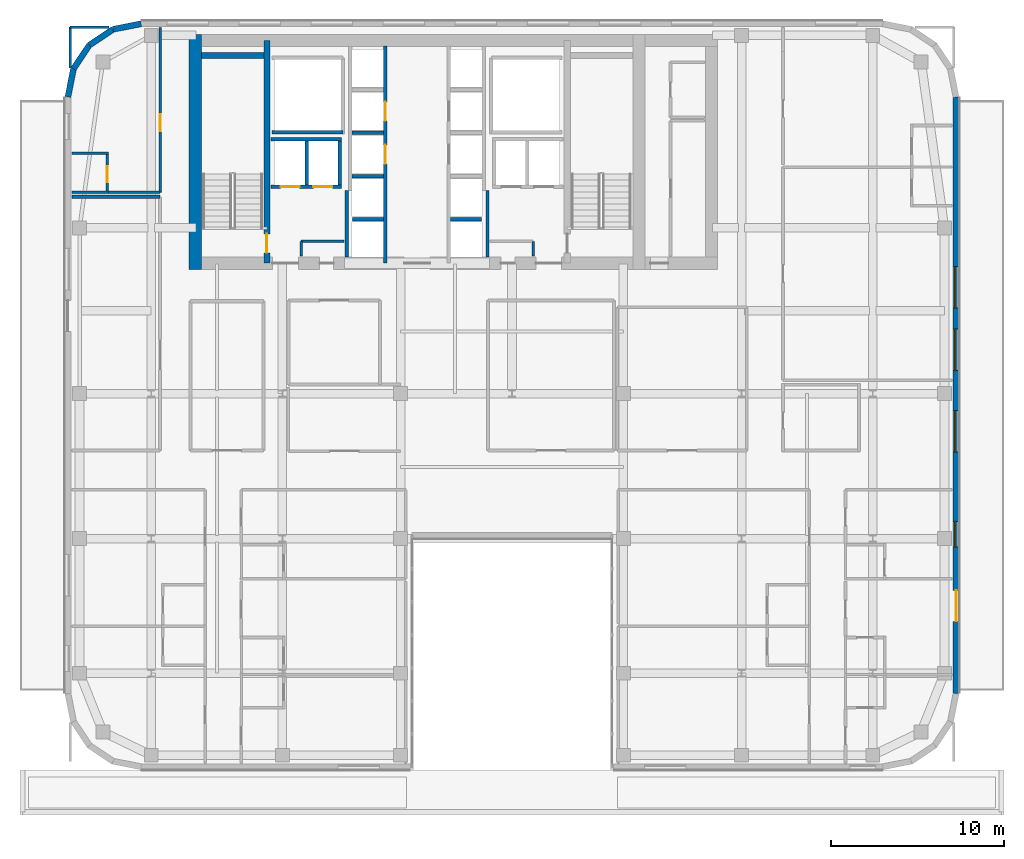
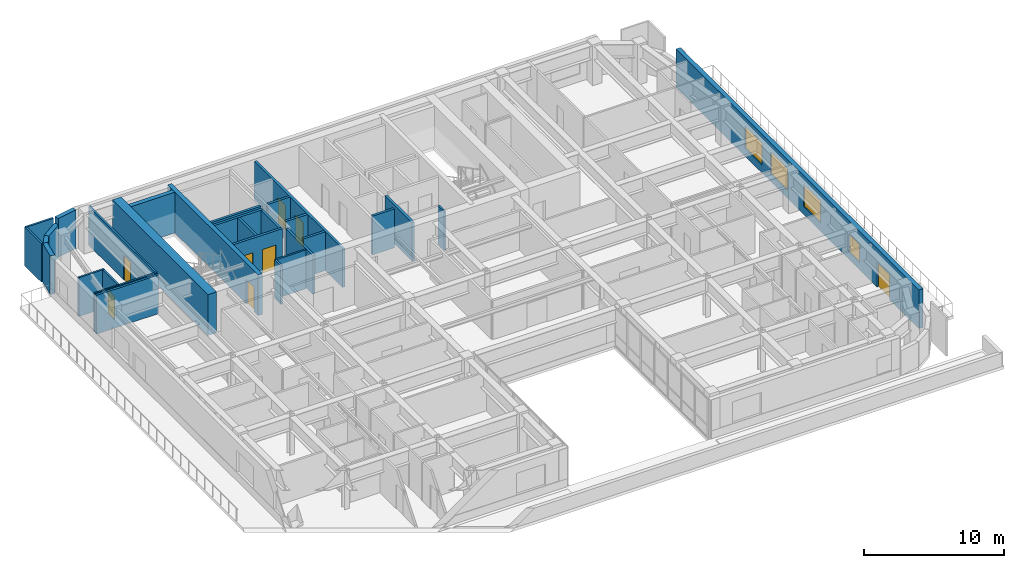
# One storey, part 13 of 20: 31 walls, 8 doors, 4 windows, 12 openings.
"""IFC4 building model written with IfcOpenShell, lengths in metres."""

from ifc_helpers import new_model, si_unit, direction, frame, frame_2d, origin, place, context, subcontext, project, spatial, rectangle, extrude, source, transform, mapped, material, layer, layer_set, type_object, type_shapes, element, fill, save


model = new_model("IFC4")

# Units and contexts
model_context = context("Model", 3, precision=1e-05, world=origin(), true_north=direction((0.0, 1.0)))
body_context = subcontext(model_context, "Body", "Model", "MODEL_VIEW")
ifc_project = project(units=[si_unit("LENGTHUNIT", "METRE"), si_unit("AREAUNIT", "SQUARE_METRE"), si_unit("VOLUMEUNIT", "CUBIC_METRE"), si_unit("PLANEANGLEUNIT", "RADIAN"), si_unit("MASSUNIT", "GRAM", prefix="KILO")], contexts=[model_context])

# Site, building, storey
site_placement = place(None, origin())
site = spatial("IfcSite", under=ifc_project, at=site_placement, CompositionType="ELEMENT")
building_placement = place(site_placement, origin())
building = spatial("IfcBuilding", under=site, at=building_placement, Name="Tolvann Quenvar Hotel", CompositionType="ELEMENT")
storey_placement = place(building_placement, frame((0.0, 0.0, 147.050048828125)))
storey = spatial("IfcBuildingStorey", under=building, at=storey_placement, Name="L38", CompositionType="ELEMENT", Elevation=147.050048828125)

# Wall
ifc_material_1 = material(Name="Concrete S65 (65 MPa)", Category="concrete")
ifc_layer_1 = layer(ifc_material_1, 0.699951171875)
ifc_layer_set_1 = layer_set([ifc_layer_1], Name="Concrete S65 (65 MPa)")
wall_type_1 = type_object("IfcWallType", Name="WALL_CORE_700", PredefinedType="SHEAR", material=ifc_layer_set_1)
wall_1_placement = place(storey_placement, frame((10.14990234375, 31.60009765625, 0.0), z_axis=(0.0, 0.0, 1.0), x_axis=(0.0, 1.0, 0.0)))
element("IfcWall", 1, at=wall_1_placement, inside=storey, type_object=wall_type_1, Name="Rear Core W Shear Wall (L38)", PredefinedType="SHEAR", context=body_context, shape_type="SweptSolid", body=[
    extrude(rectangle(XDim=13.599853515625, YDim=0.699951171875, at=frame_2d((6.7998046875, 0.0))), origin(), (0.0, 0.0, 1.0), 3.550048828125),
])

# Wall, opening, door
ifc_layer_2 = layer(ifc_material_1, 0.35009765625)
ifc_layer_set_2 = layer_set([ifc_layer_2], Name="Concrete S65 (65 MPa)")
wall_type_2 = type_object("IfcWallType", Name="WALL_CORE_INT_350", PredefinedType="SHEAR", material=ifc_layer_set_2)
wall_2_placement = place(storey_placement, frame((14.300048828125, 31.949951171875, 0.0), z_axis=(0.0, 0.0, 1.0), x_axis=(0.0, 1.0, 0.0)))
wall_2 = element("IfcWall", 2, at=wall_2_placement, inside=storey, type_object=wall_type_2, Name="Core Internal Web Shear Wall WEB-W (L38)", PredefinedType="SHEAR", context=body_context, shape_type="SweptSolid", body=[
    extrude(rectangle(XDim=12.900146484375, YDim=0.35009765625, at=frame_2d((6.4501953125, 0.0))), origin(), (0.0, 0.0, 1.0), 3.550048828125),
])
opening_1_placement = place(wall_2_placement, frame((0.60009765625, 0.0, 0.0)))
opening_1 = element("IfcOpeningElement", 3, at=opening_1_placement, cuts=wall_2, Name="Opening FD-120", PredefinedType="OPENING", context=body_context, shape_type="SweptSolid", body=[
    extrude(rectangle(XDim=1.10009765625, YDim=2.1201171875, at=frame_2d((0.550048828125, 1.06005859375))), frame((0.0, 0.18505859375, 0.0), z_axis=(0.0, -1.0, 0.0), x_axis=(1.0, 0.0, 0.0)), (0.0, 0.0, 1.0), 0.3701171875),
])
ifc_material_2 = material(Name="Pressed galvanised steel fire-rated door set", Category="steel")
door_type_1 = type_object("IfcDoorType", Name="DOOR_FIRE_STAIR_1100", OperationType="NOTDEFINED", PredefinedType="DOOR", material=ifc_material_2)
shared_shape_1 = source(origin(), body_context, "Body", "SweptSolid", [
    extrude(rectangle(XDim=1.10009765625, YDim=2.1201171875, at=frame_2d((0.550048828125, 1.06005859375))), frame((0.0, 0.02490234375, 0.0), z_axis=(0.0, -1.0, 0.0), x_axis=(1.0, 0.0, 0.0)), (0.0, 0.0, 1.0), 0.050048828125),
])
type_shapes(door_type_1, [shared_shape_1])
door_1_placement = place(opening_1_placement, origin())
door_1 = element("IfcDoor", 4, at=door_1_placement, inside=storey, type_object=door_type_1, Name="Exit Stair ST-C1 Fire Door (L38)", OperationType="SINGLE_SWING_LEFT", OverallHeight=2.1201171875, OverallWidth=1.10009765625, PredefinedType="DOOR", context=body_context, shape_type="MappedRepresentation", body=[
    mapped(shared_shape_1, transform((0.0, 0.0, 0.0), x_axis=(1.0, 0.0, 0.0), y_axis=(0.0, 1.0, 0.0), z_axis=(0.0, 0.0, 1.0), scale=1.0)),
])
fill(opening_1, door_1)

# Wall
wall_3_placement = place(storey_placement, frame((10.52001953125, 43.97509765625, 0.0), z_axis=(0.0, 0.0, 1.0), x_axis=(1.0, 0.0, 0.0)))
element("IfcWall", 5, at=wall_3_placement, inside=storey, type_object=wall_type_2, Name="Core Stair North Closing Shear Wall STC1-N (L38)", PredefinedType="SHEAR", context=body_context, shape_type="SweptSolid", body=[
    extrude(rectangle(XDim=3.60009765625, YDim=0.35009765625, at=frame_2d((1.800048828125, 0.0))), origin(), (0.0, 0.0, 1.0), 3.550048828125),
])

# Wall, openings, windows, door
ifc_material_3 = material(Name="Kiln-fired red and buff architectural clay brickwork and terracotta masonry", Category="masonry")
ifc_layer_3 = layer(ifc_material_3, 0.35009765625)
ifc_layer_set_3 = layer_set([ifc_layer_3], Name="Kiln-fired red and buff architectural clay brickwork and terracotta masonry")
wall_type_3 = type_object("IfcWallType", Name="WALL_EXT_BRICK_350", PredefinedType="SOLIDWALL", material=ifc_layer_set_3)
wall_4_placement = place(storey_placement, frame((54.22509765625, 7.01708984375, 0.0), z_axis=(0.0, 0.0, 1.0), x_axis=(0.0, 1.0, 0.0)))
wall_4 = element("IfcWall", 6, at=wall_4_placement, inside=storey, type_object=wall_type_3, Name="Exterior Chicago Brick Wall L38-E13", PredefinedType="SOLIDWALL", context=body_context, shape_type="SweptSolid", body=[
    extrude(rectangle(XDim=34.565673828125, YDim=0.35009765625, at=frame_2d((17.28271484375, 0.0))), origin(), (0.0, 0.0, 1.0), 3.369873046875),
])
opening_2_placement = place(wall_4_placement, frame((5.983154296875, 0.0, 0.0), z_axis=(0.0, 0.0, 1.0), x_axis=(-1.0, 0.0, 0.0)))
opening_2 = element("IfcOpeningElement", 7, at=opening_2_placement, cuts=wall_4, Name="Opening TD-01", PredefinedType="OPENING", context=body_context, shape_type="SweptSolid", body=[
    extrude(rectangle(XDim=1.800048828125, YDim=2.14990234375, at=frame_2d((0.89990234375, 1.074951171875))), frame((0.0, 0.18505859375, 0.0), z_axis=(0.0, -1.0, 0.0), x_axis=(1.0, 0.0, 0.0)), (0.0, 0.0, 1.0), 0.3701171875),
])
opening_3_placement = place(wall_4_placement, frame((13.9970703125, 0.0, 0.679931640625)))
opening_3 = element("IfcOpeningElement", 8, at=opening_3_placement, cuts=wall_4, Name="Opening W-01", PredefinedType="OPENING", context=body_context, shape_type="SweptSolid", body=[
    extrude(rectangle(XDim=2.39990234375, YDim=1.89990234375, at=frame_2d((1.199951171875, 0.949951171875))), frame((0.0, 0.18505859375, 0.0), z_axis=(0.0, -1.0, 0.0), x_axis=(1.0, 0.0, 0.0)), (0.0, 0.0, 1.0), 0.3701171875),
])
opening_4_placement = place(wall_4_placement, frame((18.718017578125, 0.0, 0.679931640625)))
opening_4 = element("IfcOpeningElement", 9, at=opening_4_placement, cuts=wall_4, Name="Opening W-01", PredefinedType="OPENING", context=body_context, shape_type="SweptSolid", body=[
    extrude(rectangle(XDim=2.39990234375, YDim=1.89990234375, at=frame_2d((1.199951171875, 0.949951171875))), frame((0.0, 0.18505859375, 0.0), z_axis=(0.0, -1.0, 0.0), x_axis=(1.0, 0.0, 0.0)), (0.0, 0.0, 1.0), 0.3701171875),
])
opening_5_placement = place(wall_4_placement, frame((22.339111328125, 0.0, 0.679931640625)))
opening_5 = element("IfcOpeningElement", 10, at=opening_5_placement, cuts=wall_4, Name="Opening W-01", PredefinedType="OPENING", context=body_context, shape_type="SweptSolid", body=[
    extrude(rectangle(XDim=2.39990234375, YDim=1.89990234375, at=frame_2d((1.199951171875, 0.949951171875))), frame((0.0, 0.18505859375, 0.0), z_axis=(0.0, -1.0, 0.0), x_axis=(1.0, 0.0, 0.0)), (0.0, 0.0, 1.0), 0.3701171875),
])
opening_6_placement = place(wall_4_placement, frame((8.48291015625, 0.0, 0.6201171875)))
opening_6 = element("IfcOpeningElement", 11, at=opening_6_placement, cuts=wall_4, Name="Opening W-08", PredefinedType="OPENING", context=body_context, shape_type="SweptSolid", body=[
    extrude(rectangle(XDim=1.5, YDim=1.550048828125, at=frame_2d((0.75, 0.77490234375))), frame((0.0, 0.18505859375, 0.0), z_axis=(0.0, -1.0, 0.0), x_axis=(1.0, 0.0, 0.0)), (0.0, 0.0, 1.0), 0.3701171875),
])
ifc_material_4 = material(Name="Thermally broken bronze-anodised aluminium frame with double low-E glazing", Category="aluminium")
window_type_1 = type_object("IfcWindowType", Name="WIN_COR_1500x2050", PartitioningType="SINGLE_PANEL", PredefinedType="WINDOW", material=ifc_material_4)
shared_shape_2 = source(origin(), body_context, "Body", "SweptSolid", [
    extrude(rectangle(XDim=1.5, YDim=1.550048828125, at=frame_2d((0.75, 0.77490234375))), frame((0.0, 0.090087890625, 0.0), z_axis=(0.0, -1.0, 0.0), x_axis=(1.0, 0.0, 0.0)), (0.0, 0.0, 1.0), 0.06005859375),
])
type_shapes(window_type_1, [shared_shape_2])
window_1_placement = place(opening_6_placement, origin())
window_1 = element("IfcWindow", 12, at=window_1_placement, inside=storey, type_object=window_type_1, Name="Chicago Window W-08 (EW-L38-E13-WD05)", OverallHeight=1.550048828125, OverallWidth=1.5, PartitioningType="SINGLE_PANEL", PredefinedType="WINDOW", context=body_context, shape_type="MappedRepresentation", body=[
    mapped(shared_shape_2, transform((0.0, 0.0, 0.0), x_axis=(1.0, 0.0, 0.0), y_axis=(0.0, 1.0, 0.0), z_axis=(0.0, 0.0, 1.0), scale=1.0)),
])
fill(opening_6, window_1)
ifc_material_5 = material(Name="Bronze-anodised thermally broken aluminium glazed entrance door", Category="aluminium")
door_type_2 = type_object("IfcDoorType", Name="DOOR_EXT_TER_1800", OperationType="NOTDEFINED", PredefinedType="DOOR", material=ifc_material_5)
shared_shape_3 = source(origin(), body_context, "Body", "SweptSolid", [
    extrude(rectangle(XDim=1.800048828125, YDim=2.14990234375, at=frame_2d((0.89990234375, 1.074951171875))), frame((0.0, 0.02490234375, 0.0), z_axis=(0.0, -1.0, 0.0), x_axis=(1.0, 0.0, 0.0)), (0.0, 0.0, 1.0), 0.050048828125),
])
type_shapes(door_type_2, [shared_shape_3])
door_2_placement = place(opening_2_placement, origin())
door_2 = element("IfcDoor", 13, at=door_2_placement, inside=storey, type_object=door_type_2, Name="Level 38 East Sky Terrace Access Door", OperationType="DOUBLE_DOOR_SINGLE_SWING", OverallHeight=2.14990234375, OverallWidth=1.800048828125, PredefinedType="DOOR", context=body_context, shape_type="MappedRepresentation", body=[
    mapped(shared_shape_3, transform((0.0, 0.0, 0.0), x_axis=(1.0, 0.0, 0.0), y_axis=(0.0, 1.0, 0.0), z_axis=(0.0, 0.0, 1.0), scale=1.0)),
])
fill(opening_2, door_2)
window_type_2 = type_object("IfcWindowType", Name="WIN_CHI_2400x2050", PartitioningType="TRIPLE_PANEL_HORIZONTAL", PredefinedType="WINDOW", material=ifc_material_4)
shared_shape_4 = source(origin(), body_context, "Body", "SweptSolid", [
    extrude(rectangle(XDim=2.39990234375, YDim=1.89990234375, at=frame_2d((1.199951171875, 0.949951171875))), frame((0.0, 0.090087890625, 0.0), z_axis=(0.0, -1.0, 0.0), x_axis=(1.0, 0.0, 0.0)), (0.0, 0.0, 1.0), 0.06005859375),
])
type_shapes(window_type_2, [shared_shape_4])
window_2_placement = place(opening_3_placement, origin())
window_2 = element("IfcWindow", 14, at=window_2_placement, inside=storey, type_object=window_type_2, Name="Chicago Window W-01 (EW-L38-E13-W01)", OverallHeight=1.89990234375, OverallWidth=2.39990234375, PartitioningType="TRIPLE_PANEL_HORIZONTAL", PredefinedType="WINDOW", context=body_context, shape_type="MappedRepresentation", body=[
    mapped(shared_shape_4, transform((0.0, 0.0, 0.0), x_axis=(1.0, 0.0, 0.0), y_axis=(0.0, 1.0, 0.0), z_axis=(0.0, 0.0, 1.0), scale=1.0)),
])
fill(opening_3, window_2)
window_3_placement = place(opening_4_placement, origin())
window_3 = element("IfcWindow", 15, at=window_3_placement, inside=storey, type_object=window_type_2, Name="Chicago Window W-01 (EW-L38-E13-W02)", OverallHeight=1.89990234375, OverallWidth=2.39990234375, PartitioningType="TRIPLE_PANEL_HORIZONTAL", PredefinedType="WINDOW", context=body_context, shape_type="MappedRepresentation", body=[
    mapped(shared_shape_4, transform((0.0, 0.0, 0.0), x_axis=(1.0, 0.0, 0.0), y_axis=(0.0, 1.0, 0.0), z_axis=(0.0, 0.0, 1.0), scale=1.0)),
])
fill(opening_4, window_3)
window_4_placement = place(opening_5_placement, origin())
window_4 = element("IfcWindow", 16, at=window_4_placement, inside=storey, type_object=window_type_2, Name="Chicago Window W-01 (EW-L38-E13-W03)", OverallHeight=1.89990234375, OverallWidth=2.39990234375, PartitioningType="TRIPLE_PANEL_HORIZONTAL", PredefinedType="WINDOW", context=body_context, shape_type="MappedRepresentation", body=[
    mapped(shared_shape_4, transform((0.0, 0.0, 0.0), x_axis=(1.0, 0.0, 0.0), y_axis=(0.0, 1.0, 0.0), z_axis=(0.0, 0.0, 1.0), scale=1.0)),
])
fill(opening_5, window_4)

# Walls
wall_5_placement = place(storey_placement, frame((7.01708984375, 45.824951171875, 0.0), z_axis=(0.0, 0.0, 1.0), x_axis=(-0.980788844421, -0.195072403631, 0.0)))
element("IfcWall", 17, at=wall_5_placement, inside=storey, type_object=wall_type_3, Name="Exterior Chicago Brick Wall L38-E19", PredefinedType="SOLIDWALL", context=body_context, shape_type="SweptSolid", body=[
    extrude(rectangle(XDim=1.66455078125, YDim=0.35009765625, at=frame_2d((0.832275390625, 0.0))), origin(), (0.0, 0.0, 1.0), 3.369873046875),
])
for number, where, z_axis, x_axis, name in (
    (18, (5.384521484375, 45.500244140625, 0.0), (0.0, 0.0, 1.0), (-0.831502623162, -0.555520825599, 0.0), "Exterior Chicago Brick Wall L38-E20"),
    (19, (4.014892578125, 44.585205078125, 0.0), (0.0, 0.0, 1.0), (-0.555623290322, -0.831434158098, 0.0), "Exterior Chicago Brick Wall L38-E21"),
):
    element("IfcWall", number, at=place(storey_placement, frame(where, z_axis=z_axis, x_axis=x_axis)), inside=storey, type_object=wall_type_3, Name=name, PredefinedType="SOLIDWALL", context=body_context, shape_type="SweptSolid", body=[
        extrude(rectangle(XDim=1.647216796875, YDim=0.35009765625, at=frame_2d((0.82373046875, 0.0))), origin(), (0.0, 0.0, 1.0), 2.83203125),
    ])
wall_6_placement = place(storey_placement, frame((3.099609375, 43.215576171875, 0.0), z_axis=(0.0, 0.0, 1.0), x_axis=(-0.195044345786, -0.980794424524, 0.0)))
element("IfcWall", 20, at=wall_6_placement, inside=storey, type_object=wall_type_3, Name="Exterior Chicago Brick Wall L38-E22", PredefinedType="SOLIDWALL", context=body_context, shape_type="SweptSolid", body=[
    extrude(rectangle(XDim=1.664794921875, YDim=0.35009765625, at=frame_2d((0.83251953125, 0.0))), origin(), (0.0, 0.0, 1.0), 3.369873046875),
])
ifc_material_6 = material(Name="Acoustic twin-stud fire-rated gypsum plasterboard partition")
ifc_layer_4 = layer(ifc_material_6, 0.179931640625)
ifc_layer_set_4 = layer_set([ifc_layer_4], Name="Acoustic twin-stud fire-rated gypsum plasterboard partition")
wall_type_4 = type_object("IfcWallType", Name="WALL_PART_ACOUSTIC_180", PredefinedType="PARTITIONING", material=ifc_layer_set_4)
wall_7_placement = place(storey_placement, frame((3.0048828125, 35.800048828125, 0.0), z_axis=(0.0, 0.0, 1.0), x_axis=(1.0, 0.0, 0.0)))
element("IfcWall", 21, at=wall_7_placement, inside=storey, type_object=wall_type_4, Name="Interior Partition PT-SPC-L38-SAL-N", PredefinedType="PARTITIONING", context=body_context, shape_type="SweptSolid", body=[
    extrude(rectangle(XDim=5.115234375, YDim=0.179931640625, at=frame_2d((2.5576171875, 0.0))), origin(), (0.0, 0.0, 1.0), 3.369873046875),
])
ifc_material_7 = material(Name="Moisture-resistant acoustic plumbing wall assembly")
ifc_layer_5 = layer(ifc_material_7, 0.1201171875)
ifc_layer_set_5 = layer_set([ifc_layer_5], Name="Moisture-resistant acoustic plumbing wall assembly")
wall_type_5 = type_object("IfcWallType", Name="WALL_PART_BATH_120", PredefinedType="PLUMBINGWALL", material=ifc_layer_set_5)
wall_8_placement = place(storey_placement, frame((3.0048828125, 36.06005859375, 0.0), z_axis=(0.0, 0.0, 1.0), x_axis=(1.0, 0.0, 0.0)))
element("IfcWall", 22, at=wall_8_placement, inside=storey, type_object=wall_type_5, Name="Non-Rated Plumbing Partition PT-SPC-L38-ENS-NW01-S", PredefinedType="PLUMBINGWALL", context=body_context, shape_type="SweptSolid", body=[
    extrude(rectangle(XDim=2.115234375, YDim=0.1201171875, at=frame_2d((1.0576171875, 0.0))), origin(), (0.0, 0.0, 1.0), 3.369873046875),
])

# Wall, opening, door
ifc_layer_6 = layer(ifc_material_6, 0.14990234375)
ifc_layer_set_6 = layer_set([ifc_layer_6], Name="Acoustic twin-stud fire-rated gypsum plasterboard partition")
wall_type_6 = type_object("IfcWallType", Name="WALL_PART_SUITE_150", PredefinedType="PARTITIONING", material=ifc_layer_set_6)
wall_9_placement = place(storey_placement, frame((5.050048828125, 35.989990234375, 0.0), z_axis=(0.0, 0.0, 1.0), x_axis=(0.0, 1.0, 0.0)))
wall_9 = element("IfcWall", 23, at=wall_9_placement, inside=storey, type_object=wall_type_6, Name="Interior Partition PT-SPC-L38-ENS-NW01-ENT", PredefinedType="PARTITIONING", context=body_context, shape_type="SweptSolid", body=[
    extrude(rectangle(XDim=2.389892578125, YDim=0.14990234375, at=frame_2d((1.19482421875, 0.0))), origin(), (0.0, 0.0, 1.0), 3.369873046875),
])
opening_7_placement = place(wall_9_placement, frame((0.6650390625, 0.0, 0.0)))
opening_7 = element("IfcOpeningElement", 24, at=opening_7_placement, cuts=wall_9, Name="Opening WD-01", PredefinedType="OPENING", context=body_context, shape_type="SweptSolid", body=[
    extrude(rectangle(XDim=0.919921875, YDim=2.010009765625, at=frame_2d((0.4599609375, 1.0048828125))), frame((0.0, 0.0849609375, 0.0), z_axis=(0.0, -1.0, 0.0), x_axis=(1.0, 0.0, 0.0)), (0.0, 0.0, 1.0), 0.169921875),
])
ifc_material_8 = material(Name="Solid-core American oak acoustic fire door leaf in steel frame", Category="steel")
door_type_3 = type_object("IfcDoorType", Name="DOOR_WC_920", OperationType="NOTDEFINED", PredefinedType="DOOR", material=ifc_material_8)
shared_shape_5 = source(origin(), body_context, "Body", "SweptSolid", [
    extrude(rectangle(XDim=0.919921875, YDim=2.010009765625, at=frame_2d((0.4599609375, 1.0048828125))), frame((0.0, 0.02490234375, 0.0), z_axis=(0.0, -1.0, 0.0), x_axis=(1.0, 0.0, 0.0)), (0.0, 0.0, 1.0), 0.050048828125),
])
type_shapes(door_type_3, [shared_shape_5])
door_3_placement = place(opening_7_placement, origin())
door_3 = element("IfcDoor", 25, at=door_3_placement, inside=storey, type_object=door_type_3, Name="Interior Door DOOR-SPC-L38-ENS-NW01", OperationType="SINGLE_SWING_LEFT", OverallHeight=2.010009765625, OverallWidth=0.919921875, PredefinedType="DOOR", context=body_context, shape_type="MappedRepresentation", body=[
    mapped(shared_shape_5, transform((0.0, 0.0, 0.0), x_axis=(1.0, 0.0, 0.0), y_axis=(0.0, 1.0, 0.0), z_axis=(0.0, 0.0, 1.0), scale=1.0)),
])
fill(opening_7, door_3)

# Walls
wall_10_placement = place(storey_placement, frame((3.0048828125, 38.31005859375, 0.0), z_axis=(0.0, 0.0, 1.0), x_axis=(1.0, 0.0, 0.0)))
element("IfcWall", 26, at=wall_10_placement, inside=storey, type_object=wall_type_6, Name="Interior Partition PT-SPC-L38-ENS-NW01-N", PredefinedType="PARTITIONING", context=body_context, shape_type="SweptSolid", body=[
    extrude(rectangle(XDim=2.115234375, YDim=0.14990234375, at=frame_2d((1.0576171875, 0.0))), origin(), (0.0, 0.0, 1.0), 3.369873046875),
])
wall_11_placement = place(storey_placement, frame((16.280029296875, 33.219970703125, 0.0), z_axis=(0.0, 0.0, 1.0), x_axis=(1.0, 0.0, 0.0)))
element("IfcWall", 27, at=wall_11_placement, inside=storey, type_object=wall_type_6, Name="Interior Partition PT-SPC-L38-CSW-1-N", PredefinedType="PARTITIONING", context=body_context, shape_type="SweptSolid", body=[
    extrude(rectangle(XDim=2.48486328125, YDim=0.14990234375, at=frame_2d((1.242431640625, 0.0))), origin(), (0.0, 0.0, 1.0), 3.369873046875),
])
for number, where, z_axis, x_axis, name in (
    (28, (16.280029296875, 32.35498046875, 0.0), (0.0, 0.0, 1.0), (0.0, 1.0, 0.0), "Interior Partition PT-SPC-L38-CSW-1-W"),
    (29, (29.719970703125, 32.35498046875, 0.0), (0.0, 0.0, 1.0), (0.0, 1.0, 0.0), "Interior Partition PT-SPC-L38-CSE-2-E"),
):
    element("IfcWall", number, at=place(storey_placement, frame(where, z_axis=z_axis, x_axis=x_axis)), inside=storey, type_object=wall_type_6, Name=name, PredefinedType="PARTITIONING", context=body_context, shape_type="SweptSolid", body=[
        extrude(rectangle(XDim=0.864990234375, YDim=0.14990234375, at=frame_2d((0.4326171875, 0.0))), origin(), (0.0, 0.0, 1.0), 3.369873046875),
    ])

# Wall, opening, door
wall_12_placement = place(storey_placement, frame((8.1201171875, 36.06005859375, 0.0), z_axis=(0.0, 0.0, 1.0), x_axis=(0.0, 1.0, 0.0)))
wall_12 = element("IfcWall", 30, at=wall_12_placement, inside=storey, type_object=wall_type_6, Name="Interior Partition PT-SPC-L38-RM-NW01-ENT", PredefinedType="PARTITIONING", context=body_context, shape_type="SweptSolid", body=[
    extrude(rectangle(XDim=9.534912109375, YDim=0.14990234375, at=frame_2d((4.767578125, 0.0))), origin(), (0.0, 0.0, 1.0), 3.369873046875),
])
opening_8_placement = place(wall_12_placement, frame((3.530029296875, 0.0, 0.0)))
opening_8 = element("IfcOpeningElement", 31, at=opening_8_placement, cuts=wall_12, Name="Opening SD-01", PredefinedType="OPENING", context=body_context, shape_type="SweptSolid", body=[
    extrude(rectangle(XDim=0.97998046875, YDim=2.1201171875, at=frame_2d((0.489990234375, 1.06005859375))), frame((0.0, 0.0849609375, 0.0), z_axis=(0.0, -1.0, 0.0), x_axis=(1.0, 0.0, 0.0)), (0.0, 0.0, 1.0), 0.169921875),
])
door_type_4 = type_object("IfcDoorType", Name="DOOR_SUITE_980", OperationType="NOTDEFINED", PredefinedType="DOOR", material=ifc_material_8)
shared_shape_6 = source(origin(), body_context, "Body", "SweptSolid", [
    extrude(rectangle(XDim=0.97998046875, YDim=2.1201171875, at=frame_2d((0.489990234375, 1.06005859375))), frame((0.0, 0.02490234375, 0.0), z_axis=(0.0, -1.0, 0.0), x_axis=(1.0, 0.0, 0.0)), (0.0, 0.0, 1.0), 0.050048828125),
])
type_shapes(door_type_4, [shared_shape_6])
door_4_placement = place(opening_8_placement, origin())
door_4 = element("IfcDoor", 32, at=door_4_placement, inside=storey, type_object=door_type_4, Name="Interior Door DOOR-SPC-L38-RM-NW01", OperationType="SINGLE_SWING_RIGHT", OverallHeight=2.1201171875, OverallWidth=0.97998046875, PredefinedType="DOOR", context=body_context, shape_type="MappedRepresentation", body=[
    mapped(shared_shape_6, transform((0.0, 0.0, 0.0), x_axis=(1.0, 0.0, 0.0), y_axis=(0.0, 1.0, 0.0), z_axis=(0.0, 0.0, 1.0), scale=1.0)),
])
fill(opening_8, door_4)

# Walls
wall_13_placement = place(storey_placement, frame((5.070068359375, 36.06005859375, 0.0), z_axis=(0.0, 0.0, 1.0), x_axis=(1.0, 0.0, 0.0)))
element("IfcWall", 33, at=wall_13_placement, inside=storey, type_object=wall_type_6, Name="Interior Partition PT-SPC-L38-RM-NW01-E3", PredefinedType="PARTITIONING", context=body_context, shape_type="SweptSolid", body=[
    extrude(rectangle(XDim=3.050048828125, YDim=0.14990234375, at=frame_2d((1.52490234375, 0.0))), origin(), (0.0, 0.0, 1.0), 3.369873046875),
])
wall_14_placement = place(storey_placement, frame((2.89990234375, 45.6201171875, 0.0), z_axis=(0.0, 0.0, 1.0), x_axis=(1.0, 0.0, 0.0)))
element("IfcWall", 34, at=wall_14_placement, inside=storey, type_object=wall_type_6, Name="Interior Partition PT-SPC-L38-RM-NW01-E5", PredefinedType="PARTITIONING", context=body_context, shape_type="SweptSolid", body=[
    extrude(rectangle(XDim=2.25, YDim=0.14990234375, at=frame_2d((1.125, 0.0))), origin(), (0.0, 0.0, 1.0), 3.369873046875),
])
wall_15_placement = place(storey_placement, frame((2.89990234375, 43.2548828125, 0.0), z_axis=(0.0, 0.0, 1.0), x_axis=(0.0, 1.0, 0.0)))
element("IfcWall", 35, at=wall_15_placement, inside=storey, type_object=wall_type_6, Name="Interior Partition PT-SPC-L38-RM-NW01-E6", PredefinedType="PARTITIONING", context=body_context, shape_type="SweptSolid", body=[
    extrude(rectangle(XDim=2.365234375, YDim=0.14990234375, at=frame_2d((1.1826171875, 0.0))), origin(), (0.0, 0.0, 1.0), 3.369873046875),
])
ifc_material_9 = material(Name="Concrete N40 (40 MPa)", Category="concrete")
ifc_layer_7 = layer(ifc_material_9, 0.199951171875)
ifc_layer_set_7 = layer_set([ifc_layer_7], Name="Concrete N40 (40 MPa)")
wall_type_7 = type_object("IfcWallType", Name="WALL_SHAFT_200", PredefinedType="SOLIDWALL", material=ifc_layer_set_7)
wall_16_placement = place(storey_placement, frame((14.60009765625, 39.550048828125, 0.0), z_axis=(0.0, 0.0, 1.0), x_axis=(1.0, 0.0, 0.0)))
element("IfcWall", 36, at=wall_16_placement, inside=storey, type_object=wall_type_7, Name="Service Riser W Shaft Wall S (L38)", PredefinedType="SOLIDWALL", context=body_context, shape_type="SweptSolid", body=[
    extrude(rectangle(XDim=4.099853515625, YDim=0.199951171875, at=frame_2d((2.0498046875, 0.0))), origin(), (0.0, 0.0, 1.0), 3.369873046875),
])
for number, where, z_axis, x_axis, name in (
    (37, (18.919921875, 32.303955078125, 0.0), (0.0, 0.0, 1.0), (0.0, 1.0, 0.0), "Firefighting Lobby W Inner Fire Wall (L38)"),
    (38, (27.080078125, 32.303955078125, 0.0), (0.0, 0.0, 1.0), (0.0, 1.0, 0.0), "Firefighting Lobby E Inner Fire Wall (L38)"),
):
    element("IfcWall", number, at=place(storey_placement, frame(where, z_axis=z_axis, x_axis=x_axis)), inside=storey, type_object=wall_type_7, Name=name, PredefinedType="SOLIDWALL", context=body_context, shape_type="SweptSolid", body=[
        extrude(rectangle(XDim=3.845947265625, YDim=0.199951171875, at=frame_2d((1.9228515625, 0.0))), origin(), (0.0, 0.0, 1.0), 3.369873046875),
    ])

# Wall, openings, doors
wall_17_placement = place(storey_placement, frame((21.169921875, 31.9599609375, 0.0), z_axis=(0.0, 0.0, 1.0), x_axis=(0.0, 1.0, 0.0)))
wall_17 = element("IfcWall", 39, at=wall_17_placement, inside=storey, type_object=wall_type_7, Name="Lift Bank E21.1C1 Hoistway Front Wall (L38)", PredefinedType="SOLIDWALL", context=body_context, shape_type="SweptSolid", body=[
    extrude(rectangle(XDim=12.580078125, YDim=0.199951171875, at=frame_2d((6.2900390625, 0.0))), origin(), (0.0, 0.0, 1.0), 3.369873046875),
])
opening_9_placement = place(wall_17_placement, frame((5.739990234375, 0.0, 0.0)))
opening_9 = element("IfcOpeningElement", 40, at=opening_9_placement, cuts=wall_17, Name="Opening LD-01", PredefinedType="OPENING", context=body_context, shape_type="SweptSolid", body=[
    extrude(rectangle(XDim=1.10009765625, YDim=2.1201171875, at=frame_2d((0.550048828125, 1.06005859375))), frame((0.0, 0.10986328125, 0.0), z_axis=(0.0, -1.0, 0.0), x_axis=(1.0, 0.0, 0.0)), (0.0, 0.0, 1.0), 0.219970703125),
])
opening_10_placement = place(wall_17_placement, frame((8.239990234375, 0.0, 0.0)))
opening_10 = element("IfcOpeningElement", 41, at=opening_10_placement, cuts=wall_17, Name="Opening LD-01", PredefinedType="OPENING", context=body_context, shape_type="SweptSolid", body=[
    extrude(rectangle(XDim=1.10009765625, YDim=2.1201171875, at=frame_2d((0.550048828125, 1.06005859375))), frame((0.0, 0.10986328125, 0.0), z_axis=(0.0, -1.0, 0.0), x_axis=(1.0, 0.0, 0.0)), (0.0, 0.0, 1.0), 0.219970703125),
])
ifc_material_10 = material(Name="Brushed 316 stainless steel automatic sliding lift landing door", Category="steel")
door_type_5 = type_object("IfcDoorType", Name="DOOR_LIFT_SLIDE_1100", OperationType="NOTDEFINED", PredefinedType="DOOR", material=ifc_material_10)
shared_shape_7 = source(origin(), body_context, "Body", "SweptSolid", [
    extrude(rectangle(XDim=1.10009765625, YDim=2.1201171875, at=frame_2d((0.550048828125, 1.06005859375))), frame((0.0, 0.02490234375, 0.0), z_axis=(0.0, -1.0, 0.0), x_axis=(1.0, 0.0, 0.0)), (0.0, 0.0, 1.0), 0.050048828125),
])
type_shapes(door_type_5, [shared_shape_7])
door_5_placement = place(opening_9_placement, origin())
door_5 = element("IfcDoor", 42, at=door_5_placement, inside=storey, type_object=door_type_5, Name="Lift PM-1 Sliding Landing Door (L38)", OperationType="SLIDING_TO_RIGHT", OverallHeight=2.1201171875, OverallWidth=1.10009765625, PredefinedType="DOOR", context=body_context, shape_type="MappedRepresentation", body=[
    mapped(shared_shape_7, transform((0.0, 0.0, 0.0), x_axis=(1.0, 0.0, 0.0), y_axis=(0.0, 1.0, 0.0), z_axis=(0.0, 0.0, 1.0), scale=1.0)),
])
fill(opening_9, door_5)
door_6_placement = place(opening_10_placement, origin())
door_6 = element("IfcDoor", 43, at=door_6_placement, inside=storey, type_object=door_type_5, Name="Lift PM-2 Sliding Landing Door (L38)", OperationType="SLIDING_TO_LEFT", OverallHeight=2.1201171875, OverallWidth=1.10009765625, PredefinedType="DOOR", context=body_context, shape_type="MappedRepresentation", body=[
    mapped(shared_shape_7, transform((0.0, 0.0, 0.0), x_axis=(1.0, 0.0, 0.0), y_axis=(0.0, 1.0, 0.0), z_axis=(0.0, 0.0, 1.0), scale=1.0)),
])
fill(opening_10, door_6)

# Walls
wall_18_placement = place(storey_placement, frame((19.27001953125, 34.5, 0.0), z_axis=(0.0, 0.0, 1.0), x_axis=(1.0, 0.0, 0.0)))
element("IfcWall", 44, at=wall_18_placement, inside=storey, type_object=wall_type_7, Name="Lift Bank E21.1C1 Divider Wall 1 (L38)", PredefinedType="SOLIDWALL", context=body_context, shape_type="SweptSolid", body=[
    extrude(rectangle(XDim=1.800048828125, YDim=0.199951171875, at=frame_2d((0.89990234375, 0.0))), origin(), (0.0, 0.0, 1.0), 3.369873046875),
])
for number, where, z_axis, x_axis, name in (
    (45, (19.22998046875, 37.0, 0.0), (0.0, 0.0, 1.0), (1.0, 0.0, 0.0), "Lift Bank E21.1C1 Divider Wall 2 (L38)"),
    (46, (19.22998046875, 39.5, 0.0), (0.0, 0.0, 1.0), (1.0, 0.0, 0.0), "Lift Bank E21.1C1 Divider Wall 3 (L38)"),
):
    element("IfcWall", number, at=place(storey_placement, frame(where, z_axis=z_axis, x_axis=x_axis)), inside=storey, type_object=wall_type_7, Name=name, PredefinedType="SOLIDWALL", context=body_context, shape_type="SweptSolid", body=[
        extrude(rectangle(XDim=1.840087890625, YDim=0.199951171875, at=frame_2d((0.919921875, 0.0))), origin(), (0.0, 0.0, 1.0), 3.369873046875),
    ])

# Wall, openings, doors
wall_19_placement = place(storey_placement, frame((14.550048828125, 36.3798828125, 0.0), z_axis=(0.0, 0.0, 1.0), x_axis=(1.0, 0.0, 0.0)))
wall_19 = element("IfcWall", 47, at=wall_19_placement, inside=storey, type_object=wall_type_7, Name="Lift Bank SWC1 Hoistway Front Wall (L38)", PredefinedType="SOLIDWALL", context=body_context, shape_type="SweptSolid", body=[
    extrude(rectangle(XDim=4.074951171875, YDim=0.199951171875, at=frame_2d((2.03759765625, 0.0))), origin(), (0.0, 0.0, 1.0), 3.369873046875),
])
opening_11_placement = place(wall_19_placement, frame((0.550048828125, 0.0, 0.0)))
opening_11 = element("IfcOpeningElement", 48, at=opening_11_placement, cuts=wall_19, Name="Opening LD-01", PredefinedType="OPENING", context=body_context, shape_type="SweptSolid", body=[
    extrude(rectangle(XDim=1.10009765625, YDim=2.1201171875, at=frame_2d((0.550048828125, 1.06005859375))), frame((0.0, 0.10986328125, 0.0), z_axis=(0.0, -1.0, 0.0), x_axis=(1.0, 0.0, 0.0)), (0.0, 0.0, 1.0), 0.219970703125),
])
opening_12_placement = place(wall_19_placement, frame((2.449951171875, 0.0, 0.0)))
opening_12 = element("IfcOpeningElement", 49, at=opening_12_placement, cuts=wall_19, Name="Opening LD-01", PredefinedType="OPENING", context=body_context, shape_type="SweptSolid", body=[
    extrude(rectangle(XDim=1.10009765625, YDim=2.1201171875, at=frame_2d((0.550048828125, 1.06005859375))), frame((0.0, 0.10986328125, 0.0), z_axis=(0.0, -1.0, 0.0), x_axis=(1.0, 0.0, 0.0)), (0.0, 0.0, 1.0), 0.219970703125),
])
door_7_placement = place(opening_11_placement, origin())
door_7 = element("IfcDoor", 50, at=door_7_placement, inside=storey, type_object=door_type_5, Name="Lift FF-1 Sliding Landing Door (L38)", OperationType="SLIDING_TO_LEFT", OverallHeight=2.1201171875, OverallWidth=1.10009765625, PredefinedType="DOOR", context=body_context, shape_type="MappedRepresentation", body=[
    mapped(shared_shape_7, transform((0.0, 0.0, 0.0), x_axis=(1.0, 0.0, 0.0), y_axis=(0.0, 1.0, 0.0), z_axis=(0.0, 0.0, 1.0), scale=1.0)),
])
fill(opening_11, door_7)
door_8_placement = place(opening_12_placement, origin())
door_8 = element("IfcDoor", 51, at=door_8_placement, inside=storey, type_object=door_type_5, Name="Lift SV-1 Sliding Landing Door (L38)", OperationType="SLIDING_TO_RIGHT", OverallHeight=2.1201171875, OverallWidth=1.10009765625, PredefinedType="DOOR", context=body_context, shape_type="MappedRepresentation", body=[
    mapped(shared_shape_7, transform((0.0, 0.0, 0.0), x_axis=(1.0, 0.0, 0.0), y_axis=(0.0, 1.0, 0.0), z_axis=(0.0, 0.0, 1.0), scale=1.0)),
])
fill(opening_12, door_8)

# Walls
wall_20_placement = place(storey_placement, frame((14.550048828125, 39.1201171875, 0.0), z_axis=(0.0, 0.0, 1.0), x_axis=(1.0, 0.0, 0.0)))
element("IfcWall", 52, at=wall_20_placement, inside=storey, type_object=wall_type_7, Name="Lift Bank SWC1 Hoistway Rear Wall (L38)", PredefinedType="SOLIDWALL", context=body_context, shape_type="SweptSolid", body=[
    extrude(rectangle(XDim=4.074951171875, YDim=0.199951171875, at=frame_2d((2.03759765625, 0.0))), origin(), (0.0, 0.0, 1.0), 3.369873046875),
])
for number, where, z_axis, x_axis, name in (
    (53, (18.52490234375, 36.47998046875, 0.0), (0.0, 0.0, 1.0), (0.0, 1.0, 0.0), "Lift Bank SWC1 Hoistway Cheek Wall 2 (L38)"),
    (54, (16.612548828125, 36.47998046875, 0.0), (0.0, 0.0, 1.0), (0.0, 1.0, 0.0), "Lift Bank SWC1 Divider Wall 1 (L38)"),
):
    element("IfcWall", number, at=place(storey_placement, frame(where, z_axis=z_axis, x_axis=x_axis)), inside=storey, type_object=wall_type_7, Name=name, PredefinedType="SOLIDWALL", context=body_context, shape_type="SweptSolid", body=[
        extrude(rectangle(XDim=2.5400390625, YDim=0.199951171875, at=frame_2d((1.27001953125, 0.0))), origin(), (0.0, 0.0, 1.0), 3.369873046875),
    ])
wall_21_placement = place(storey_placement, frame((24.929931640625, 34.5, 0.0), z_axis=(0.0, 0.0, 1.0), x_axis=(1.0, 0.0, 0.0)))
element("IfcWall", 55, at=wall_21_placement, inside=storey, type_object=wall_type_7, Name="Lift Bank W24.9C1 Divider Wall 1 (L38)", PredefinedType="SOLIDWALL", context=body_context, shape_type="SweptSolid", body=[
    extrude(rectangle(XDim=1.800048828125, YDim=0.199951171875, at=frame_2d((0.89990234375, 0.0))), origin(), (0.0, 0.0, 1.0), 3.369873046875),
])

save(model, "model.ifc")
